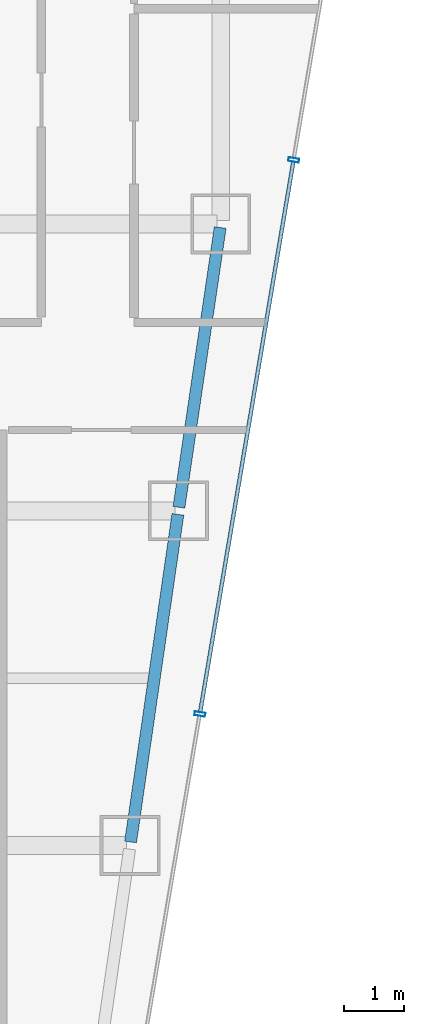
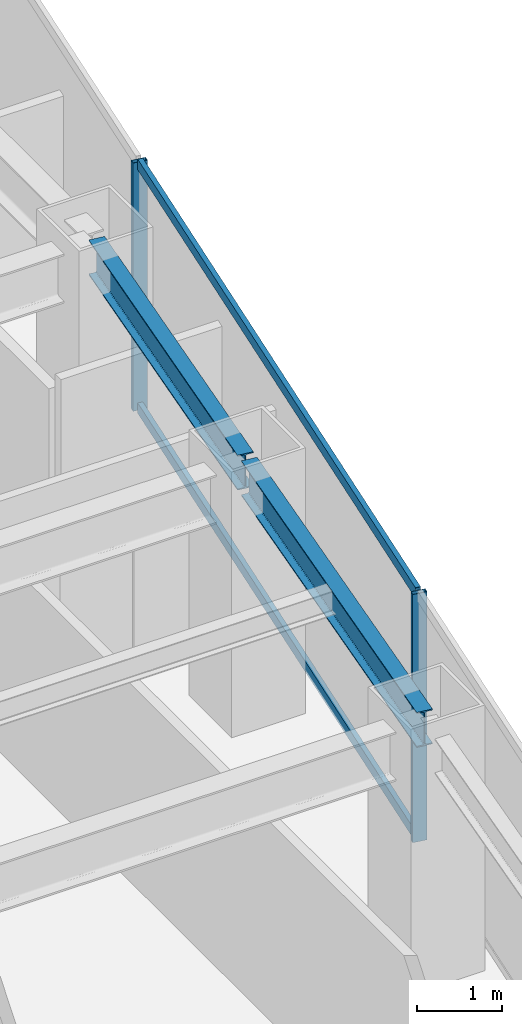
# One storey, part 21 of 35: 4 members, 2 beams, 1 element without a shape of its own.
"""IFC4 building model written with IfcOpenShell, lengths in metres."""

from ifc_helpers import new_model, si_unit, direction, frame, origin, origin_2d, place, context, subcontext, project, spatial, hollow_rectangle, i_section, extrude, material, material_profile, profile_set, type_object, element, aggregate, save


model = new_model("IFC4")

# Units and contexts
model_context = context("Model", 3, precision=1e-05, world=origin(), true_north=direction((0.0, 1.0)))
body_context = subcontext(model_context, "Body", "Model", "MODEL_VIEW")
ifc_project = project(units=[si_unit("LENGTHUNIT", "METRE"), si_unit("AREAUNIT", "SQUARE_METRE"), si_unit("VOLUMEUNIT", "CUBIC_METRE"), si_unit("PLANEANGLEUNIT", "RADIAN"), si_unit("MASSUNIT", "GRAM", prefix="KILO")], contexts=[model_context])

# Site, building, storey
site_placement = place(None, origin())
site = spatial("IfcSite", under=ifc_project, at=site_placement, CompositionType="ELEMENT")
building_placement = place(site_placement, origin())
building = spatial("IfcBuilding", under=site, at=building_placement, Name="Saevonmaru Cultural Tower", CompositionType="ELEMENT")
storey_placement = place(building_placement, frame((0.0, 0.0, 175.199951171875)))
storey = spatial("IfcBuildingStorey", under=building, at=storey_placement, Name="L39", CompositionType="ELEMENT", Elevation=175.199951171875)

# Beams
ifc_material_1 = material(Name="Steel SM355", Category="steel")
ifc_material_profile_1 = material_profile(ifc_material_1, i_section(OverallWidth=0.199951171875, OverallDepth=0.5, WebThickness=0.010009765625, FlangeThickness=0.01611328125, FilletRadius=0.02001953125, at=origin_2d()), Name="H-500x200x10x16")
ifc_profile_set_1 = profile_set([ifc_material_profile_1], Name="Steel SM355")
beam_type = type_object("IfcBeamType", Name="BM-SP-H500", PredefinedType="SPANDREL", material=ifc_profile_set_1)
beam_1_placement = place(storey_placement, frame((51.691650390625, 32.059326171875, 3.300048828125), z_axis=(0.142964121327, 0.989727871697, 0.0), x_axis=(-0.989727871697, 0.142964121327, 0.0)))
element("IfcBeam", 1, at=beam_1_placement, inside=storey, type_object=beam_type, Name="L39 East Splayed Spandrel 3", PredefinedType="SPANDREL", context=body_context, shape_type="SweptSolid", body=[
    extrude(i_section(OverallWidth=0.199951171875, OverallDepth=0.5, WebThickness=0.010009765625, FlangeThickness=0.01611328125, FilletRadius=0.02001953125, at=origin_2d()), origin(), (0.0, 0.0, 1.0), 5.5380859375),
])
beam_2_placement = place(storey_placement, frame((52.500732421875, 37.659423828125, 3.300048828125), z_axis=(0.145912860028, 0.989297446312, 0.0), x_axis=(-0.989297446312, 0.145912860028, 0.0)))
element("IfcBeam", 2, at=beam_2_placement, inside=storey, type_object=beam_type, Name="L39 East Splayed Spandrel 4", PredefinedType="SPANDREL", context=body_context, shape_type="SweptSolid", body=[
    extrude(i_section(OverallWidth=0.199951171875, OverallDepth=0.5, WebThickness=0.010009765625, FlangeThickness=0.01611328125, FilletRadius=0.02001953125, at=origin_2d()), origin(), (0.0, 0.0, 1.0), 4.731689453125),
])

# Curtain wall, members
ifc_material_2 = material(Name="Satin Bronze Anodised Aluminium", Category="aluminium")
curtain_wall_type = type_object("IfcCurtainWallType", Name="CW-TYP-B", PredefinedType="NOTDEFINED", material=ifc_material_2)
curtain_wall_placement = place(storey_placement, origin())
curtain_wall = element("IfcCurtainWall", 3, at=curtain_wall_placement, inside=storey, type_object=curtain_wall_type, Name="L39 Unitised Curtain Wall E8", PredefinedType="NOTDEFINED")
ifc_material_profile_2 = material_profile(ifc_material_2, hollow_rectangle(XDim=0.06494140625, YDim=0.179931640625, WallThickness=0.00390625, at=origin_2d()), Name="ALU-MULL-180x65x4")
ifc_profile_set_2 = profile_set([ifc_material_profile_2], Name="Satin Bronze Anodised Aluminium")
member_type_1 = type_object("IfcMemberType", Name="ML-CW-180x65", PredefinedType="MULLION", material=ifc_profile_set_2)
member_1_placement = place(storey_placement, frame((52.85107421875, 34.199951171875, 0.0), z_axis=(0.0, 0.0, 1.0), x_axis=(0.16692169721, 0.985970155228, 0.0)))
member_1 = element("IfcMember", 4, at=member_1_placement, type_object=member_type_1, Name="CW-TW-L39-E8 mullion 3", PredefinedType="MULLION", context=body_context, shape_type="SweptSolid", body=[
    extrude(hollow_rectangle(XDim=0.06494140625, YDim=0.179931640625, WallThickness=0.00390625, at=origin_2d()), origin(), (0.0, 0.0, 1.0), 3.550048828125),
])
member_2_placement = place(storey_placement, frame((54.420654296875, 43.470458984375, 0.0), z_axis=(0.0, 0.0, 1.0), x_axis=(0.16692169721, 0.985970155228, 0.0)))
member_2 = element("IfcMember", 5, at=member_2_placement, type_object=member_type_1, Name="CW-TW-L39-E8 mullion 4", PredefinedType="MULLION", context=body_context, shape_type="SweptSolid", body=[
    extrude(hollow_rectangle(XDim=0.06494140625, YDim=0.179931640625, WallThickness=0.00390625, at=origin_2d()), origin(), (0.0, 0.0, 1.0), 3.550048828125),
])
ifc_material_profile_3 = material_profile(ifc_material_2, hollow_rectangle(XDim=0.06494140625, YDim=0.14990234375, WallThickness=0.00390625, at=origin_2d()), Name="ALU-TRAN-150x65x4")
ifc_profile_set_3 = profile_set([ifc_material_profile_3], Name="Satin Bronze Anodised Aluminium")
member_type_2 = type_object("IfcMemberType", Name="TR-CW-150x65", PredefinedType="USERDEFINED", material=ifc_profile_set_3)
member_3_placement = place(storey_placement, frame((52.8564453125, 34.23193359375, 0.032470703125), z_axis=(0.166916960754, 0.985970957084, 0.0), x_axis=(-0.985970957084, 0.166916960754, 0.0)))
member_3 = element("IfcMember", 6, at=member_3_placement, type_object=member_type_2, Name="CW-TW-L39-E8 transom 3.1", ObjectType="TRANSOM", PredefinedType="USERDEFINED", context=body_context, shape_type="SweptSolid", body=[
    extrude(hollow_rectangle(XDim=0.06494140625, YDim=0.14990234375, WallThickness=0.00390625, at=origin_2d()), origin(), (0.0, 0.0, 1.0), 9.337646484375),
])
member_4_placement = place(storey_placement, frame((52.8564453125, 34.23193359375, 3.517578125), z_axis=(0.166916960754, 0.985970957084, 0.0), x_axis=(-0.985970957084, 0.166916960754, 0.0)))
member_4 = element("IfcMember", 7, at=member_4_placement, type_object=member_type_2, Name="CW-TW-L39-E8 transom 3.2", ObjectType="TRANSOM", PredefinedType="USERDEFINED", context=body_context, shape_type="SweptSolid", body=[
    extrude(hollow_rectangle(XDim=0.06494140625, YDim=0.14990234375, WallThickness=0.00390625, at=origin_2d()), origin(), (0.0, 0.0, 1.0), 9.337646484375),
])
aggregate(curtain_wall, [member_1, member_2, member_3, member_4])

save(model, "model.ifc")
